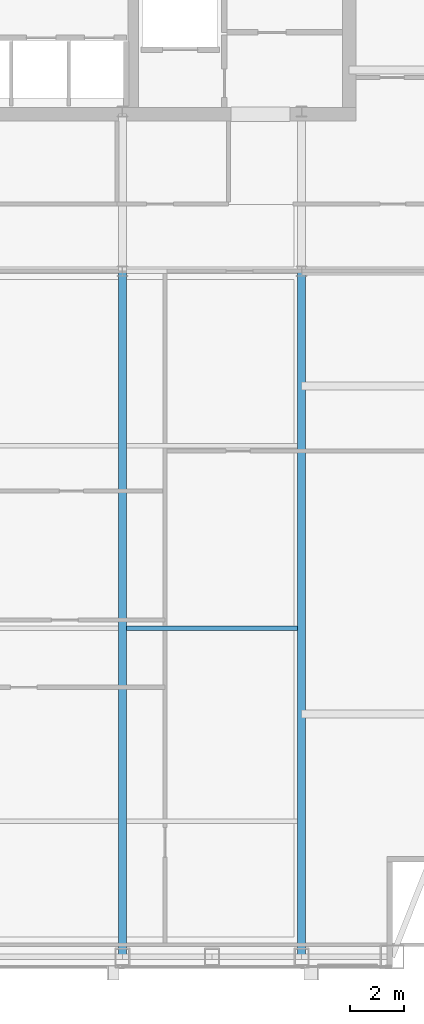
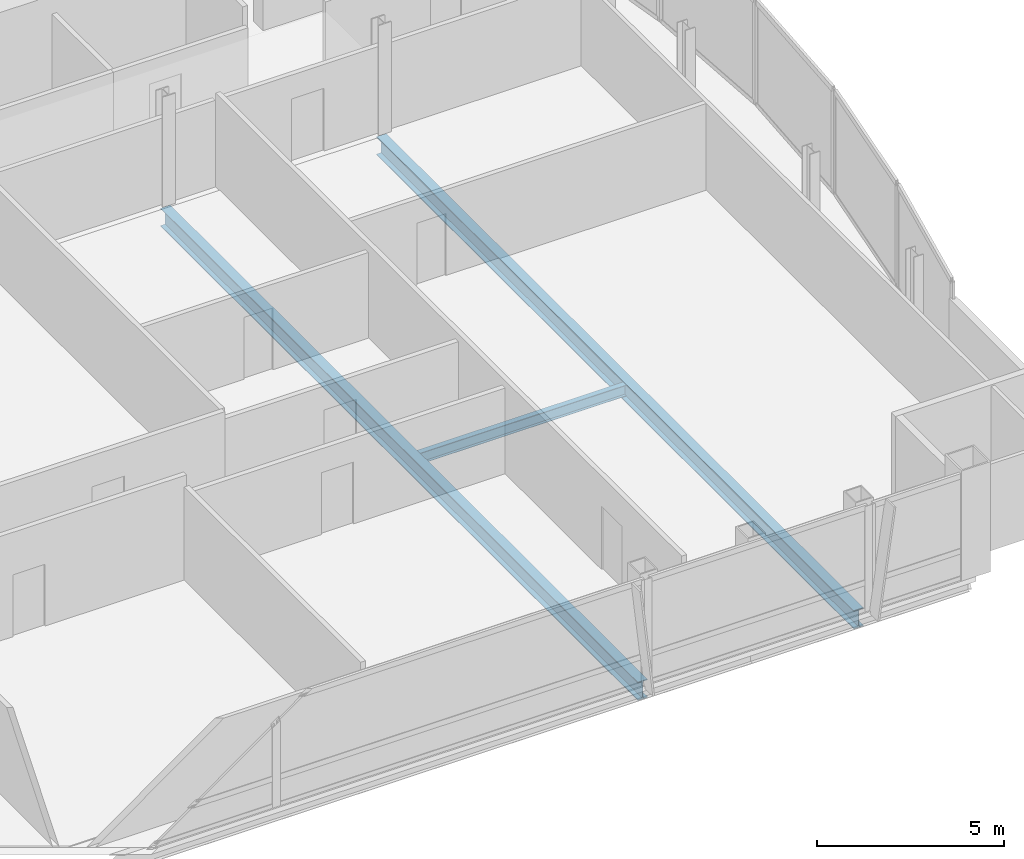
# One storey, part 15 of 29: 3 beams.
"""IFC4 building model written with IfcOpenShell, lengths in metres."""

from ifc_helpers import new_model, si_unit, direction, frame, origin, origin_2d, place, context, subcontext, project, spatial, i_section, extrude, material, material_profile, profile_set, type_object, element, save


model = new_model("IFC4")

# Units and contexts
model_context = context("Model", 3, precision=1e-05, world=origin(), true_north=direction((0.0, 1.0)))
body_context = subcontext(model_context, "Body", "Model", "MODEL_VIEW")
ifc_project = project(units=[si_unit("LENGTHUNIT", "METRE"), si_unit("AREAUNIT", "SQUARE_METRE"), si_unit("VOLUMEUNIT", "CUBIC_METRE"), si_unit("PLANEANGLEUNIT", "RADIAN"), si_unit("MASSUNIT", "GRAM", prefix="KILO")], contexts=[model_context])

# Site, building, storey
site_placement = place(None, origin())
site = spatial("IfcSite", under=ifc_project, at=site_placement, CompositionType="ELEMENT")
building_placement = place(site_placement, origin())
building = spatial("IfcBuilding", under=site, at=building_placement, Name="Khoronbel Lancet Exchange", CompositionType="ELEMENT")
storey_placement = place(building_placement, frame((0.0, 0.0, 329.0)))
storey = spatial("IfcBuildingStorey", under=building, at=storey_placement, Name="L85", CompositionType="ELEMENT", Elevation=329.0)

# Beams
ifc_material = material(Name="Steel S355", Category="steel")
ifc_material_profile_1 = material_profile(ifc_material, i_section(OverallWidth=0.300048828125, OverallDepth=0.60009765625, WebThickness=0.015380859375, FlangeThickness=0.030029296875, at=origin_2d()), Name="HEB 600")
ifc_profile_set_1 = profile_set([ifc_material_profile_1], Name="Steel S355")
beam_type_1 = type_object("IfcBeamType", Name="BM-BG5", PredefinedType="BEAM", material=ifc_profile_set_1)
for number, where, z_axis, x_axis, name in (
    (1, (48.0, 10.14990234375, -0.4599609375), (0.0, 1.0, 0.0), (-1.0, 0.0, 0.0), "Level L85 south primary girder GS5"),
    (2, (54.675048828125, 10.14990234375, -0.4599609375), (0.0, 1.0, 0.0), (-1.0, 0.0, 0.0), "Level L85 south primary girder GS6"),
):
    element("IfcBeam", number, at=place(storey_placement, frame(where, z_axis=z_axis, x_axis=x_axis)), inside=storey, type_object=beam_type_1, Name=name, PredefinedType="BEAM", context=body_context, shape_type="SweptSolid", body=[
        extrude(i_section(OverallWidth=0.300048828125, OverallDepth=0.60009765625, WebThickness=0.015380859375, FlangeThickness=0.030029296875, at=origin_2d()), origin(), (0.0, 0.0, 1.0), 25.550048828125),
    ])
ifc_material_profile_2 = material_profile(ifc_material, i_section(OverallWidth=0.169921875, OverallDepth=0.360107421875, WebThickness=0.008056640625, FlangeThickness=0.0126953125, at=origin_2d()), Name="IPE 360")
ifc_profile_set_2 = profile_set([ifc_material_profile_2], Name="Steel S355")
beam_type_2 = type_object("IfcBeamType", Name="BM-BJ6", PredefinedType="JOIST", material=ifc_profile_set_2)
beam_placement = place(storey_placement, frame((48.14990234375, 22.39990234375, -0.340087890625), z_axis=(1.0, 0.0, 0.0), x_axis=(0.0, 1.0, 0.0)))
element("IfcBeam", 3, at=beam_placement, inside=storey, type_object=beam_type_2, Name="Level L85 secondary composite joist J06", PredefinedType="JOIST", context=body_context, shape_type="SweptSolid", body=[
    extrude(i_section(OverallWidth=0.169921875, OverallDepth=0.360107421875, WebThickness=0.008056640625, FlangeThickness=0.0126953125, at=origin_2d()), origin(), (0.0, 0.0, 1.0), 6.375),
])

save(model, "model.ifc")
